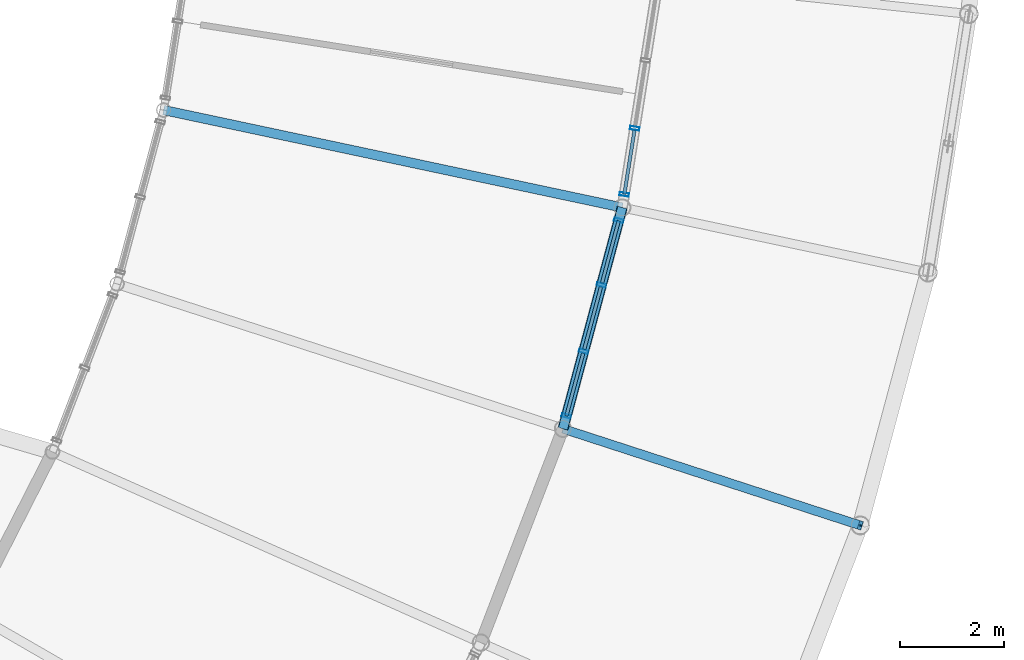
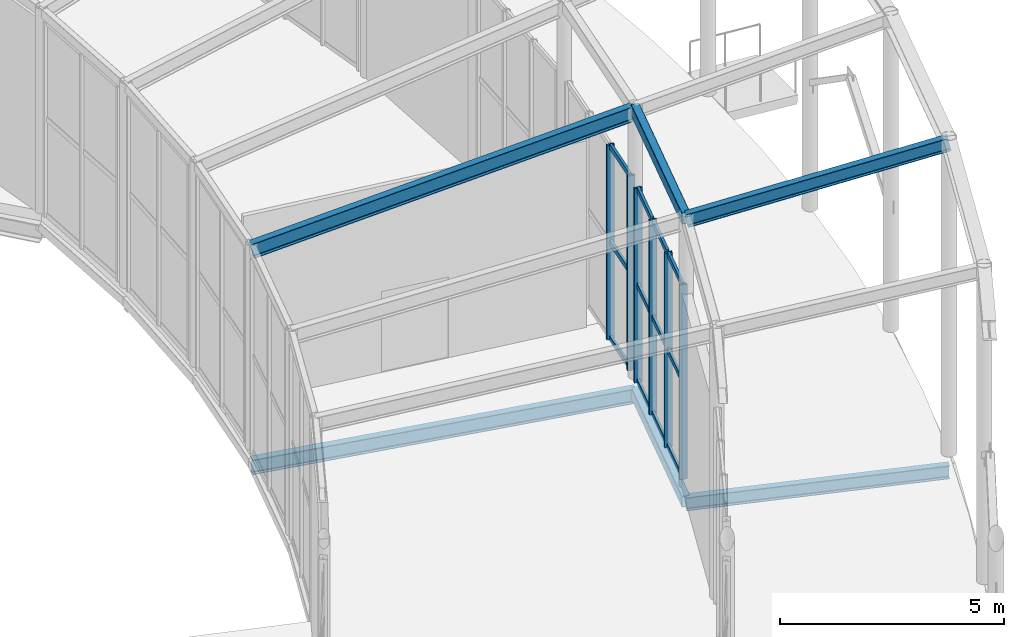
# One storey, part 90 of 158: 18 members, 6 beams, 2 elements without a shape of their own.
"""IFC4 building model written with IfcOpenShell, lengths in metres."""

import ifcopenshell
import ifcopenshell.guid

model = None  # the IFC model being written
_history = None  # IfcOwnerHistory: only IFC2X3 demands one
_inside = {}  # id of a spatial element -> (the spatial element, [elements in it])
_under = {}  # id of a project, library or spatial element -> (it, [spatial elements below it])
_declared = {}  # id of a project -> (the project, [libraries it declares])
_typed = {}  # id of a type object -> (the type object, [elements of that type])
_made_of = {}  # id of a material, layer set ... -> (it, [elements and type objects made of it])


def new_model(schema):
    """Start an empty IFC model of exactly this schema.

    Asked for "IFC4X3", IfcOpenShell would pick the latest addendum, in which some entities
    have other attributes; the version numbers below select the first issue.
    IFC2X3 requires an IfcOwnerHistory on every rooted entity: one is made here for all.
    """
    global model, _history
    if schema == "IFC4X3":
        model = ifcopenshell.file(schema_version=(4, 3, 0, 0))
    else:
        model = ifcopenshell.file(schema=schema)
    _inside.clear()
    _under.clear()
    _declared.clear()
    _typed.clear()
    _made_of.clear()
    _history = None
    if model.schema == "IFC2X3":
        org = make("IfcOrganization", Name="unknown")
        user = make(
            "IfcPersonAndOrganization",
            ThePerson=make("IfcPerson", FamilyName="unknown"),
            TheOrganization=org,
        )
        app = make(
            "IfcApplication",
            ApplicationDeveloper=org,
            Version="unknown",
            ApplicationFullName="unknown",
            ApplicationIdentifier="unknown",
        )
        _history = make(
            "IfcOwnerHistory",
            OwningUser=user,
            OwningApplication=app,
            ChangeAction="ADDED",
            CreationDate=0,
        )
    return model


def make(cls, **values):
    """One entity of the class cls with the attributes given. An attribute that is None is left unset."""
    return model.create_entity(
        cls, **{name: value for name, value in values.items() if value is not None}
    )


def rooted(cls, **values):
    """An entity with a GlobalId (a new one), such as an element, a storey or a relation."""
    return make(cls, GlobalId=ifcopenshell.guid.new(), OwnerHistory=_history, **values)


def si_unit(unit_type, name, prefix=None):
    """IfcSIUnit, for example si_unit("LENGTHUNIT", "METRE", prefix="MILLI")."""
    return make("IfcSIUnit", UnitType=unit_type, Prefix=prefix, Name=name)


def derived_unit(unit_type, elements):
    """IfcDerivedUnit: a product of units, each with its exponent."""
    return make(
        "IfcDerivedUnit",
        Elements=[
            make("IfcDerivedUnitElement", Unit=unit, Exponent=power)
            for unit, power in elements
        ],
        UnitType=unit_type,
    )


def assignment(units):
    """IfcUnitAssignment: the units of a project."""
    return None if units is None else make("IfcUnitAssignment", Units=units)


def point(xyz):
    """IfcCartesianPoint."""
    return None if xyz is None else make("IfcCartesianPoint", Coordinates=xyz)


def direction(xyz):
    """IfcDirection."""
    return None if xyz is None else make("IfcDirection", DirectionRatios=xyz)


def frame(location, z_axis=None, x_axis=None):
    """IfcAxis2Placement3D, a coordinate frame: its origin and axes. An axis left out is left unset."""
    return make(
        "IfcAxis2Placement3D",
        Location=point(location),
        Axis=direction(z_axis),
        RefDirection=direction(x_axis),
    )


def frame_2d(location, x_axis=None):
    """IfcAxis2Placement2D, a coordinate frame in the plane: its origin and x axis."""
    return make(
        "IfcAxis2Placement2D", Location=point(location), RefDirection=direction(x_axis)
    )


def origin():
    """The frame at (0, 0, 0) with its axes left unset."""
    return frame((0.0, 0.0, 0.0))


def origin_2d():
    """The frame at (0, 0) in the plane with its x axis left unset."""
    return frame_2d((0.0, 0.0))


def place(relative_to, where):
    """IfcLocalPlacement: puts the frame where relative to a parent placement (None: the world)."""
    return make(
        "IfcLocalPlacement", PlacementRelTo=relative_to, RelativePlacement=where
    )


def context(
    kind, dimensions, precision=None, world=None, true_north=None, identifier=None
):
    """IfcGeometricRepresentationContext, for example the 3D "Model" context."""
    return make(
        "IfcGeometricRepresentationContext",
        ContextIdentifier=identifier,
        ContextType=kind,
        CoordinateSpaceDimension=dimensions,
        Precision=precision,
        WorldCoordinateSystem=world,
        TrueNorth=true_north,
    )


def subcontext(parent, identifier, kind, view, scale=None):
    """IfcGeometricRepresentationSubContext, for example "Body" below "Model"."""
    return make(
        "IfcGeometricRepresentationSubContext",
        ContextIdentifier=identifier,
        ContextType=kind,
        ParentContext=parent,
        TargetScale=scale,
        TargetView=view,
    )


def project(units=None, contexts=None):
    """IfcProject with its units and contexts."""
    return rooted(
        "IfcProject",
        Name="project",
        RepresentationContexts=contexts,
        UnitsInContext=assignment(units),
    )


def spatial(cls, under=None, at=None, **own):
    """A site, building, storey or space (cls), placed at a placement, below another one or the project."""
    s = rooted(cls, ObjectPlacement=at, **own)
    if under is not None:
        _under.setdefault(under.id(), (under, []))[1].append(s)
    return s


def profile(cls, at=None, kind="AREA", **sizes):
    """A parametric profile (cls). Its sizes go by their IFC names, for example OverallWidth=200.0."""
    return make(cls, ProfileType=kind, Position=at, **sizes)


def hollow_rectangle(**sizes):
    """IfcRectangleHollowProfileDef."""
    return profile("IfcRectangleHollowProfileDef", **sizes)


def i_section(**sizes):
    """IfcIShapeProfileDef."""
    return profile("IfcIShapeProfileDef", **sizes)


def extrude(swept, where, along, depth):
    """IfcExtrudedAreaSolid: the profile swept, set in the frame where, extruded along a direction by depth."""
    return make(
        "IfcExtrudedAreaSolid",
        SweptArea=swept,
        Position=where,
        ExtrudedDirection=direction(along),
        Depth=depth,
    )


def shape(context_of_items, identifier, shape_type, items):
    """IfcShapeRepresentation: the items that make up one representation, for example the "Body"."""
    return make(
        "IfcShapeRepresentation",
        ContextOfItems=context_of_items,
        RepresentationIdentifier=identifier,
        RepresentationType=shape_type,
        Items=items,
    )


def material(Name=None, Category=None):
    """IfcMaterial."""
    return make("IfcMaterial", Name=Name, Category=Category)


def material_profile(
    of_material, cross_section, Name=None, Category=None, Priority=None
):
    """IfcMaterialProfile: a cross section and its material."""
    return make(
        "IfcMaterialProfile",
        Name=Name,
        Material=of_material,
        Profile=cross_section,
        Priority=Priority,
        Category=Category,
    )


def profile_set(profiles, Name=None, composite=None):
    """IfcMaterialProfileSet."""
    return make(
        "IfcMaterialProfileSet",
        Name=Name,
        MaterialProfiles=profiles,
        CompositeProfile=composite,
    )


def made_of(thing, what):
    """Note that an element or type object is made of a material, layer set ...; save() writes the relation."""
    if what is not None:
        _made_of.setdefault(what.id(), (what, []))[1].append(thing)
    return thing


def type_object(cls, material=None, **own):
    """A type object (cls), such as IfcWallType, which elements share."""
    return made_of(rooted(cls, **own), material)


def element(
    cls,
    number,
    at=None,
    inside=None,
    cuts=None,
    type_object=None,
    material=None,
    context=None,
    identifier="Body",
    shape_type=None,
    held_by="IfcProductDefinitionShape",
    body=None,
    shapes=None,
    **own,
):
    """One element of the class cls, such as IfcWall. Its Tag is "e" and its number.

    at: its placement. inside: the storey or other place that contains it. cuts: it is an
    opening in that element (IfcRelVoidsElement). A single representation is given by context,
    identifier, shape_type and body (its items); several are given by shapes. held_by: the class
    of the entity that holds the representations. save() writes the other relations.
    """
    e = rooted(cls, Tag="e%d" % number, ObjectPlacement=at, **own)
    if body is not None:
        shapes = [shape(context, identifier, shape_type, body)]
    if shapes is not None:
        e.Representation = make(held_by, Representations=shapes)
    if inside is not None:
        _inside.setdefault(inside.id(), (inside, []))[1].append(e)
    if cuts is not None:
        rooted(
            "IfcRelVoidsElement", RelatingBuildingElement=cuts, RelatedOpeningElement=e
        )
    if type_object is not None:
        _typed.setdefault(type_object.id(), (type_object, []))[1].append(e)
    return made_of(e, material)


def aggregate(whole, parts):
    """IfcRelAggregates: a whole, such as a stair, and the parts it consists of."""
    return rooted("IfcRelAggregates", RelatingObject=whole, RelatedObjects=parts)


def save(model, path):
    """Write the relations noted so far, then the file.

    IfcRelAggregates (storeys below a building ...), IfcRelContainedInSpatialStructure (elements
    in a storey), IfcRelDefinesByType, IfcRelAssociatesMaterial and IfcRelDeclares: one each for
    every whole, place, type object, material and project.
    """
    for whole, parts in _under.values():
        aggregate(whole, parts)
    for where, things in _inside.values():
        rooted(
            "IfcRelContainedInSpatialStructure",
            RelatedElements=things,
            RelatingStructure=where,
        )
    for kind, things in _typed.values():
        rooted("IfcRelDefinesByType", RelatedObjects=things, RelatingType=kind)
    for what, things in _made_of.values():
        rooted("IfcRelAssociatesMaterial", RelatedObjects=things, RelatingMaterial=what)
    for by, libraries in _declared.values():
        rooted("IfcRelDeclares", RelatingContext=by, RelatedDefinitions=libraries)
    model.write(path)


model = new_model("IFC4")

# Units and contexts
model_context = context("Model", 3, precision=1e-05, world=origin(), true_north=direction((0.0, 1.0)))
body_context = subcontext(model_context, "Body", "Model", "MODEL_VIEW")
ifc_project = project(units=[si_unit("LENGTHUNIT", "METRE"), si_unit("AREAUNIT", "SQUARE_METRE"), si_unit("VOLUMEUNIT", "CUBIC_METRE"), si_unit("PLANEANGLEUNIT", "RADIAN"), si_unit("MASSUNIT", "GRAM", prefix="KILO"), si_unit("THERMODYNAMICTEMPERATUREUNIT", "KELVIN"), si_unit("TIMEUNIT", "SECOND"), derived_unit("THERMALTRANSMITTANCEUNIT", [(si_unit("MASSUNIT", "GRAM", prefix="KILO"), 1), (si_unit("THERMODYNAMICTEMPERATUREUNIT", "KELVIN"), -1), (si_unit("TIMEUNIT", "SECOND"), -3)])], contexts=[model_context])

# Site, building, storey
site_placement = place(None, origin())
site = spatial("IfcSite", under=ifc_project, at=site_placement, CompositionType="ELEMENT")
building_placement = place(site_placement, origin())
building = spatial("IfcBuilding", under=site, at=building_placement, Name="Cambertide Market Hall", CompositionType="ELEMENT")
storey_placement = place(building_placement, origin())
storey = spatial("IfcBuildingStorey", under=building, at=storey_placement, Name="L01", CompositionType="ELEMENT", Elevation=0.0)

# Curtain wall, members
ifc_material_1 = material(Name="Marine Anodized Aluminium 6063-T6 AA25", Category="aluminium")
curtain_wall_type = type_object("IfcCurtainWallType", Name="Promenade Crescent Outer Glazed Wall", PredefinedType="USERDEFINED", material=ifc_material_1)
curtain_wall_1_placement = place(storey_placement, origin())
curtain_wall_1 = element("IfcCurtainWall", 1, at=curtain_wall_1_placement, inside=storey, type_object=curtain_wall_type, Name="Level 1 Curtain Wall CW-V5M-L01-4", ObjectType="UNITIZED CURTAIN WALL", PredefinedType="USERDEFINED")
ifc_material_2 = material(Name="Champagne Marine Anodized Aluminium 6063-T6 AA25", Category="aluminium")
ifc_material_profile_1 = material_profile(ifc_material_2, hollow_rectangle(XDim=0.06494140625, YDim=0.179931640625, WallThickness=0.00390625, at=origin_2d()), Name="ALU MULLION 65x180")
ifc_profile_set_1 = profile_set([ifc_material_profile_1], Name="Champagne Marine Anodized Aluminium 6063-T6 AA25")
member_type_1 = type_object("IfcMemberType", Name="Curtain Wall Mullion ALU MULLION 65x180", PredefinedType="MULLION", material=ifc_profile_set_1)
member_1_placement = place(storey_placement, frame((185.01611328125, 57.021484375, 0.0), z_axis=(0.0, 0.0, 1.0), x_axis=(-0.258818914887, -0.96592586118, 0.0)))
member_1 = element("IfcMember", 2, at=member_1_placement, type_object=member_type_1, Name="CW-V5M-L01-4 Mullion 1", PredefinedType="MULLION", context=body_context, shape_type="SweptSolid", body=[
    extrude(hollow_rectangle(XDim=0.06494140625, YDim=0.179931640625, WallThickness=0.00390625, at=origin_2d()), origin(), (0.0, 0.0, 1.0), 5.300048828125),
])
member_2_placement = place(storey_placement, frame((184.683837890625, 55.781494140625, 0.0), z_axis=(0.0, 0.0, 1.0), x_axis=(-0.258818914887, -0.96592586118, 0.0)))
member_2 = element("IfcMember", 3, at=member_2_placement, type_object=member_type_1, Name="CW-V5M-L01-4 Mullion 2", PredefinedType="MULLION", context=body_context, shape_type="SweptSolid", body=[
    extrude(hollow_rectangle(XDim=0.06494140625, YDim=0.179931640625, WallThickness=0.00390625, at=origin_2d()), origin(), (0.0, 0.0, 1.0), 5.300048828125),
])
member_3_placement = place(storey_placement, frame((184.342529296875, 54.507568359375, 0.0), z_axis=(0.0, 0.0, 1.0), x_axis=(-0.258818914887, -0.96592586118, 0.0)))
member_3 = element("IfcMember", 4, at=member_3_placement, type_object=member_type_1, Name="CW-V5M-L01-4 Mullion 3", PredefinedType="MULLION", context=body_context, shape_type="SweptSolid", body=[
    extrude(hollow_rectangle(XDim=0.06494140625, YDim=0.179931640625, WallThickness=0.00390625, at=origin_2d()), origin(), (0.0, 0.0, 1.0), 5.300048828125),
])
member_4_placement = place(storey_placement, frame((184.01025390625, 53.267578125, 0.0), z_axis=(0.0, 0.0, 1.0), x_axis=(-0.258818914887, -0.96592586118, 0.0)))
member_4 = element("IfcMember", 5, at=member_4_placement, type_object=member_type_1, Name="CW-V5M-L01-4 Mullion 4", PredefinedType="MULLION", context=body_context, shape_type="SweptSolid", body=[
    extrude(hollow_rectangle(XDim=0.06494140625, YDim=0.179931640625, WallThickness=0.00390625, at=origin_2d()), origin(), (0.0, 0.0, 1.0), 5.300048828125),
])

curtain_wall_2_placement = place(storey_placement, origin())
curtain_wall_2 = element("IfcCurtainWall", 6, at=curtain_wall_2_placement, inside=storey, type_object=curtain_wall_type, Name="Level 1 Curtain Wall CW-V5M-L01-5", ObjectType="UNITIZED CURTAIN WALL", PredefinedType="USERDEFINED")
member_5_placement = place(storey_placement, frame((185.322998046875, 58.78759765625, 0.0), z_axis=(0.0, 0.0, 1.0), x_axis=(-0.156434588243, -0.987688321082, 0.0)))
member_5 = element("IfcMember", 7, at=member_5_placement, type_object=member_type_1, Name="CW-V5M-L01-5 Mullion 3", PredefinedType="MULLION", context=body_context, shape_type="SweptSolid", body=[
    extrude(hollow_rectangle(XDim=0.06494140625, YDim=0.179931640625, WallThickness=0.00390625, at=origin_2d()), origin(), (0.0, 0.0, 1.0), 5.300048828125),
])
member_6_placement = place(storey_placement, frame((185.1220703125, 57.51953125, 0.0), z_axis=(0.0, 0.0, 1.0), x_axis=(-0.156434588243, -0.987688321082, 0.0)))
member_6 = element("IfcMember", 8, at=member_6_placement, type_object=member_type_1, Name="CW-V5M-L01-5 Mullion 4", PredefinedType="MULLION", context=body_context, shape_type="SweptSolid", body=[
    extrude(hollow_rectangle(XDim=0.06494140625, YDim=0.179931640625, WallThickness=0.00390625, at=origin_2d()), origin(), (0.0, 0.0, 1.0), 5.300048828125),
])

# Member
ifc_material_3 = material(Name="Champagne Marine Anodized Aluminium 6063-T6 AA25", Category="aluminium")
ifc_material_profile_2 = material_profile(ifc_material_3, hollow_rectangle(XDim=0.06494140625, YDim=0.139892578125, WallThickness=0.00341796875, at=origin_2d()), Name="ALU TRANSOM 65x140")
ifc_profile_set_2 = profile_set([ifc_material_profile_2], Name="Champagne Marine Anodized Aluminium 6063-T6 AA25")
member_type_2 = type_object("IfcMemberType", Name="Curtain Wall Transom ALU TRANSOM 65x140", PredefinedType="USERDEFINED", material=ifc_profile_set_2)
member_7_placement = place(storey_placement, frame((185.014892578125, 57.0166015625, 0.034912109375), z_axis=(-0.258778775034, -0.965936615722, 0.0), x_axis=(0.965936615722, -0.258778775034, 0.0)))
member_7 = element("IfcMember", 9, at=member_7_placement, type_object=member_type_2, Name="CW-V5M-L01-4 Transom 1-1", ObjectType="TRANSOM", PredefinedType="USERDEFINED", context=body_context, shape_type="SweptSolid", body=[
    extrude(hollow_rectangle(XDim=0.06494140625, YDim=0.139892578125, WallThickness=0.00341796875, at=origin_2d()), origin(), (0.0, 0.0, 1.0), 1.23876953125),
])

member_8_placement = place(storey_placement, frame((184.673583984375, 55.74267578125, 0.034912109375), z_axis=(-0.258778775034, -0.965936615722, 0.0), x_axis=(0.965936615722, -0.258778775034, 0.0)))
member_8 = element("IfcMember", 10, at=member_8_placement, type_object=member_type_2, Name="CW-V5M-L01-4 Transom 1-2", ObjectType="TRANSOM", PredefinedType="USERDEFINED", context=body_context, shape_type="SweptSolid", body=[
    extrude(hollow_rectangle(XDim=0.06494140625, YDim=0.139892578125, WallThickness=0.00341796875, at=origin_2d()), origin(), (0.0, 0.0, 1.0), 1.23876953125),
])

member_9_placement = place(storey_placement, frame((184.332275390625, 54.468994140625, 0.034912109375), z_axis=(-0.258778775034, -0.965936615722, 0.0), x_axis=(0.965936615722, -0.258778775034, 0.0)))
member_9 = element("IfcMember", 11, at=member_9_placement, type_object=member_type_2, Name="CW-V5M-L01-4 Transom 1-3", ObjectType="TRANSOM", PredefinedType="USERDEFINED", context=body_context, shape_type="SweptSolid", body=[
    extrude(hollow_rectangle(XDim=0.06494140625, YDim=0.139892578125, WallThickness=0.00341796875, at=origin_2d()), origin(), (0.0, 0.0, 1.0), 1.23876953125),
])

member_10_placement = place(storey_placement, frame((185.014892578125, 57.0166015625, 2.64990234375), z_axis=(-0.258778775034, -0.965936615722, 0.0), x_axis=(0.965936615722, -0.258778775034, 0.0)))
member_10 = element("IfcMember", 12, at=member_10_placement, type_object=member_type_2, Name="CW-V5M-L01-4 Transom 2-1", ObjectType="TRANSOM", PredefinedType="USERDEFINED", context=body_context, shape_type="SweptSolid", body=[
    extrude(hollow_rectangle(XDim=0.06494140625, YDim=0.139892578125, WallThickness=0.00341796875, at=origin_2d()), origin(), (0.0, 0.0, 1.0), 1.23876953125),
])

member_11_placement = place(storey_placement, frame((184.673583984375, 55.74267578125, 2.64990234375), z_axis=(-0.258778775034, -0.965936615722, 0.0), x_axis=(0.965936615722, -0.258778775034, 0.0)))
member_11 = element("IfcMember", 13, at=member_11_placement, type_object=member_type_2, Name="CW-V5M-L01-4 Transom 2-2", ObjectType="TRANSOM", PredefinedType="USERDEFINED", context=body_context, shape_type="SweptSolid", body=[
    extrude(hollow_rectangle(XDim=0.06494140625, YDim=0.139892578125, WallThickness=0.00341796875, at=origin_2d()), origin(), (0.0, 0.0, 1.0), 1.23876953125),
])

member_12_placement = place(storey_placement, frame((184.332275390625, 54.468994140625, 2.64990234375), z_axis=(-0.258778775034, -0.965936615722, 0.0), x_axis=(0.965936615722, -0.258778775034, 0.0)))
member_12 = element("IfcMember", 14, at=member_12_placement, type_object=member_type_2, Name="CW-V5M-L01-4 Transom 2-3", ObjectType="TRANSOM", PredefinedType="USERDEFINED", context=body_context, shape_type="SweptSolid", body=[
    extrude(hollow_rectangle(XDim=0.06494140625, YDim=0.139892578125, WallThickness=0.00341796875, at=origin_2d()), origin(), (0.0, 0.0, 1.0), 1.23876953125),
])

member_13_placement = place(storey_placement, frame((185.014892578125, 57.0166015625, 5.264892578125), z_axis=(-0.258778775034, -0.965936615722, 0.0), x_axis=(0.965936615722, -0.258778775034, 0.0)))
member_13 = element("IfcMember", 15, at=member_13_placement, type_object=member_type_2, Name="CW-V5M-L01-4 Transom 3-1", ObjectType="TRANSOM", PredefinedType="USERDEFINED", context=body_context, shape_type="SweptSolid", body=[
    extrude(hollow_rectangle(XDim=0.06494140625, YDim=0.139892578125, WallThickness=0.00341796875, at=origin_2d()), origin(), (0.0, 0.0, 1.0), 1.23876953125),
])

member_14_placement = place(storey_placement, frame((184.673583984375, 55.74267578125, 5.264892578125), z_axis=(-0.258778775034, -0.965936615722, 0.0), x_axis=(0.965936615722, -0.258778775034, 0.0)))
member_14 = element("IfcMember", 16, at=member_14_placement, type_object=member_type_2, Name="CW-V5M-L01-4 Transom 3-2", ObjectType="TRANSOM", PredefinedType="USERDEFINED", context=body_context, shape_type="SweptSolid", body=[
    extrude(hollow_rectangle(XDim=0.06494140625, YDim=0.139892578125, WallThickness=0.00341796875, at=origin_2d()), origin(), (0.0, 0.0, 1.0), 1.23876953125),
])

member_15_placement = place(storey_placement, frame((184.332275390625, 54.468994140625, 5.264892578125), z_axis=(-0.258778775034, -0.965936615722, 0.0), x_axis=(0.965936615722, -0.258778775034, 0.0)))
member_15 = element("IfcMember", 17, at=member_15_placement, type_object=member_type_2, Name="CW-V5M-L01-4 Transom 3-3", ObjectType="TRANSOM", PredefinedType="USERDEFINED", context=body_context, shape_type="SweptSolid", body=[
    extrude(hollow_rectangle(XDim=0.06494140625, YDim=0.139892578125, WallThickness=0.00341796875, at=origin_2d()), origin(), (0.0, 0.0, 1.0), 1.23876953125),
])

aggregate(curtain_wall_1, [member_1, member_2, member_3, member_4, member_7, member_8, member_9, member_10, member_11, member_12, member_13, member_14, member_15])

member_16_placement = place(storey_placement, frame((185.316650390625, 58.748046875, 0.034912109375), z_axis=(-0.156468527213, -0.987682945075, 0.0), x_axis=(0.987682945075, -0.156468527213, 0.0)))
member_16 = element("IfcMember", 18, at=member_16_placement, type_object=member_type_2, Name="CW-V5M-L01-5 Transom 1-3", ObjectType="TRANSOM", PredefinedType="USERDEFINED", context=body_context, shape_type="SweptSolid", body=[
    extrude(hollow_rectangle(XDim=0.06494140625, YDim=0.139892578125, WallThickness=0.00341796875, at=origin_2d()), origin(), (0.0, 0.0, 1.0), 1.239013671875),
])

member_17_placement = place(storey_placement, frame((185.316650390625, 58.748046875, 2.64990234375), z_axis=(-0.156468527213, -0.987682945075, 0.0), x_axis=(0.987682945075, -0.156468527213, 0.0)))
member_17 = element("IfcMember", 19, at=member_17_placement, type_object=member_type_2, Name="CW-V5M-L01-5 Transom 2-3", ObjectType="TRANSOM", PredefinedType="USERDEFINED", context=body_context, shape_type="SweptSolid", body=[
    extrude(hollow_rectangle(XDim=0.06494140625, YDim=0.139892578125, WallThickness=0.00341796875, at=origin_2d()), origin(), (0.0, 0.0, 1.0), 1.239013671875),
])

member_18_placement = place(storey_placement, frame((185.316650390625, 58.748046875, 5.264892578125), z_axis=(-0.156468527213, -0.987682945075, 0.0), x_axis=(0.987682945075, -0.156468527213, 0.0)))
member_18 = element("IfcMember", 20, at=member_18_placement, type_object=member_type_2, Name="CW-V5M-L01-5 Transom 3-3", ObjectType="TRANSOM", PredefinedType="USERDEFINED", context=body_context, shape_type="SweptSolid", body=[
    extrude(hollow_rectangle(XDim=0.06494140625, YDim=0.139892578125, WallThickness=0.00341796875, at=origin_2d()), origin(), (0.0, 0.0, 1.0), 1.239013671875),
])

aggregate(curtain_wall_2, [member_5, member_6, member_16, member_17, member_18])

# Beams
ifc_material_4 = material(Name="Steel S355", Category="steel")
ifc_material_profile_3 = material_profile(ifc_material_4, i_section(OverallWidth=0.169921875, OverallDepth=0.360107421875, WebThickness=0.008056640625, FlangeThickness=0.0126953125, FilletRadius=0.01806640625, at=origin_2d()), Name="IPE 360")
ifc_profile_set_3 = profile_set([ifc_material_profile_3], Name="Steel S355")
beam_type_1 = type_object("IfcBeamType", Name="Exterior Steel Girder IPE 360", PredefinedType="BEAM", material=ifc_profile_set_3)
beam_1_placement = place(storey_placement, frame((183.9443359375, 53.021240234375, 7.22998046875), z_axis=(0.931989975113, -0.302808020836, 0.199253579157), x_axis=(0.309004184009, 0.95106067854, 0.0)))
element("IfcBeam", 21, at=beam_1_placement, inside=storey, type_object=beam_type_1, Name="BM-V5R2-CAN-4", PredefinedType="BEAM", context=body_context, shape_type="SweptSolid", body=[
    extrude(i_section(OverallWidth=0.169921875, OverallDepth=0.360107421875, WebThickness=0.008056640625, FlangeThickness=0.0126953125, FilletRadius=0.01806640625, at=origin_2d()), origin(), (0.0, 0.0, 1.0), 6.122802734375),
])
ifc_material_5 = material(Name="Steel S355", Category="steel")
ifc_material_profile_4 = material_profile(ifc_material_5, i_section(OverallWidth=0.179931640625, OverallDepth=0.39990234375, WebThickness=0.008544921875, FlangeThickness=0.013427734375, FilletRadius=0.02099609375, at=origin_2d()), Name="IPE 400")
ifc_profile_set_4 = profile_set([ifc_material_profile_4], Name="Steel S355")
beam_type_2 = type_object("IfcBeamType", Name="Exterior Steel Girder IPE 400", PredefinedType="BEAM", material=ifc_profile_set_4)
beam_2_placement = place(storey_placement, frame((176.27880859375, 59.138916015625, 5.3798828125), z_axis=(0.958535239773, -0.203727615231, 0.199261769803), x_axis=(0.207896713966, 0.978150784042, 0.0)))
element("IfcBeam", 22, at=beam_2_placement, inside=storey, type_object=beam_type_2, Name="BM-V5R1-CAN-5", PredefinedType="BEAM", context=body_context, shape_type="SweptSolid", body=[
    extrude(i_section(OverallWidth=0.179931640625, OverallDepth=0.39990234375, WebThickness=0.008544921875, FlangeThickness=0.013427734375, FilletRadius=0.02099609375, at=origin_2d()), origin(), (0.0, 0.0, 1.0), 9.184326171875),
])
ifc_material_6 = material(Name="Steel S355", Category="steel")
ifc_material_profile_5 = material_profile(ifc_material_6, hollow_rectangle(XDim=0.199951171875, YDim=0.300048828125, WallThickness=0.010009765625, InnerFilletRadius=0.010009765625, OuterFilletRadius=0.02001953125, at=origin_2d()), Name="RHS 300x200x10")
ifc_profile_set_5 = profile_set([ifc_material_profile_5], Name="Steel S355")
beam_type_3 = type_object("IfcBeamType", Name="Exterior Steel Girder RHS 300x200x10", PredefinedType="BEAM", material=ifc_profile_set_5)
beam_3_placement = place(storey_placement, frame((183.9443359375, 53.021240234375, 7.260009765625), z_axis=(0.258834161048, 0.965921775857, 0.0), x_axis=(-0.965921775857, 0.258834161048, 0.0)))
element("IfcBeam", 23, at=beam_3_placement, inside=storey, type_object=beam_type_3, Name="Level 1 Beam BM-V5C-CAN-MID-4", PredefinedType="BEAM", context=body_context, shape_type="SweptSolid", body=[
    extrude(hollow_rectangle(XDim=0.199951171875, YDim=0.300048828125, WallThickness=0.010009765625, InnerFilletRadius=0.010009765625, OuterFilletRadius=0.02001953125, at=origin_2d()), origin(), (0.0, 0.0, 1.0), 4.396484375),
])
ifc_material_7 = material(Name="Steel S355", Category="steel")
ifc_material_profile_6 = material_profile(ifc_material_7, i_section(OverallWidth=0.169921875, OverallDepth=0.360107421875, WebThickness=0.008056640625, FlangeThickness=0.0126953125, FilletRadius=0.01806640625, at=origin_2d()), Name="IPE 360")
ifc_profile_set_6 = profile_set([ifc_material_profile_6], Name="Steel S355")
beam_type_4 = type_object("IfcBeamType", Name="Steel Girder IPE 360", PredefinedType="BEAM", material=ifc_profile_set_6)
beam_4_placement = place(storey_placement, frame((183.9443359375, 53.021240234375, -0.47998046875), z_axis=(0.95106067854, -0.309004184009, 0.0), x_axis=(0.309004184009, 0.95106067854, 0.0)))
element("IfcBeam", 24, at=beam_4_placement, inside=storey, type_object=beam_type_4, Name="Level 1 Beam BM-V5R2-FLR-4", PredefinedType="BEAM", context=body_context, shape_type="SweptSolid", body=[
    extrude(i_section(OverallWidth=0.169921875, OverallDepth=0.360107421875, WebThickness=0.008056640625, FlangeThickness=0.0126953125, FilletRadius=0.01806640625, at=origin_2d()), origin(), (0.0, 0.0, 1.0), 6.0),
])
ifc_material_8 = material(Name="Steel S355", Category="steel")
ifc_material_profile_7 = material_profile(ifc_material_8, i_section(OverallWidth=0.179931640625, OverallDepth=0.39990234375, WebThickness=0.008544921875, FlangeThickness=0.013427734375, FilletRadius=0.02099609375, at=origin_2d()), Name="IPE 400")
ifc_profile_set_7 = profile_set([ifc_material_profile_7], Name="Steel S355")
beam_type_5 = type_object("IfcBeamType", Name="Steel Girder IPE 400", PredefinedType="BEAM", material=ifc_profile_set_7)
beam_5_placement = place(storey_placement, frame((176.27880859375, 59.138916015625, -0.5), z_axis=(0.978150784042, -0.207896713966, 0.0), x_axis=(0.207896713966, 0.978150784042, 0.0)))
element("IfcBeam", 25, at=beam_5_placement, inside=storey, type_object=beam_type_5, Name="Level 1 Beam BM-V5R1-FLR-5", PredefinedType="BEAM", context=body_context, shape_type="SweptSolid", body=[
    extrude(i_section(OverallWidth=0.179931640625, OverallDepth=0.39990234375, WebThickness=0.008544921875, FlangeThickness=0.013427734375, FilletRadius=0.02099609375, at=origin_2d()), origin(), (0.0, 0.0, 1.0), 9.0),
])
ifc_material_9 = material(Name="Steel S355", Category="steel")
ifc_material_profile_8 = material_profile(ifc_material_9, hollow_rectangle(XDim=0.199951171875, YDim=0.300048828125, WallThickness=0.010009765625, InnerFilletRadius=0.010009765625, OuterFilletRadius=0.02001953125, at=origin_2d()), Name="RHS 300x200x10")
ifc_profile_set_8 = profile_set([ifc_material_profile_8], Name="Steel S355")
beam_type_6 = type_object("IfcBeamType", Name="Steel Girder RHS 300x200x10", PredefinedType="BEAM", material=ifc_profile_set_8)
beam_6_placement = place(storey_placement, frame((183.9443359375, 53.021240234375, -0.449951171875), z_axis=(0.258834161048, 0.965921775857, 0.0), x_axis=(-0.965921775857, 0.258834161048, 0.0)))
element("IfcBeam", 26, at=beam_6_placement, inside=storey, type_object=beam_type_6, Name="Level 1 Beam BM-V5C-FLR-MID-4", PredefinedType="BEAM", context=body_context, shape_type="SweptSolid", body=[
    extrude(hollow_rectangle(XDim=0.199951171875, YDim=0.300048828125, WallThickness=0.010009765625, InnerFilletRadius=0.010009765625, OuterFilletRadius=0.02001953125, at=origin_2d()), origin(), (0.0, 0.0, 1.0), 4.396484375),
])

save(model, "model.ifc")
